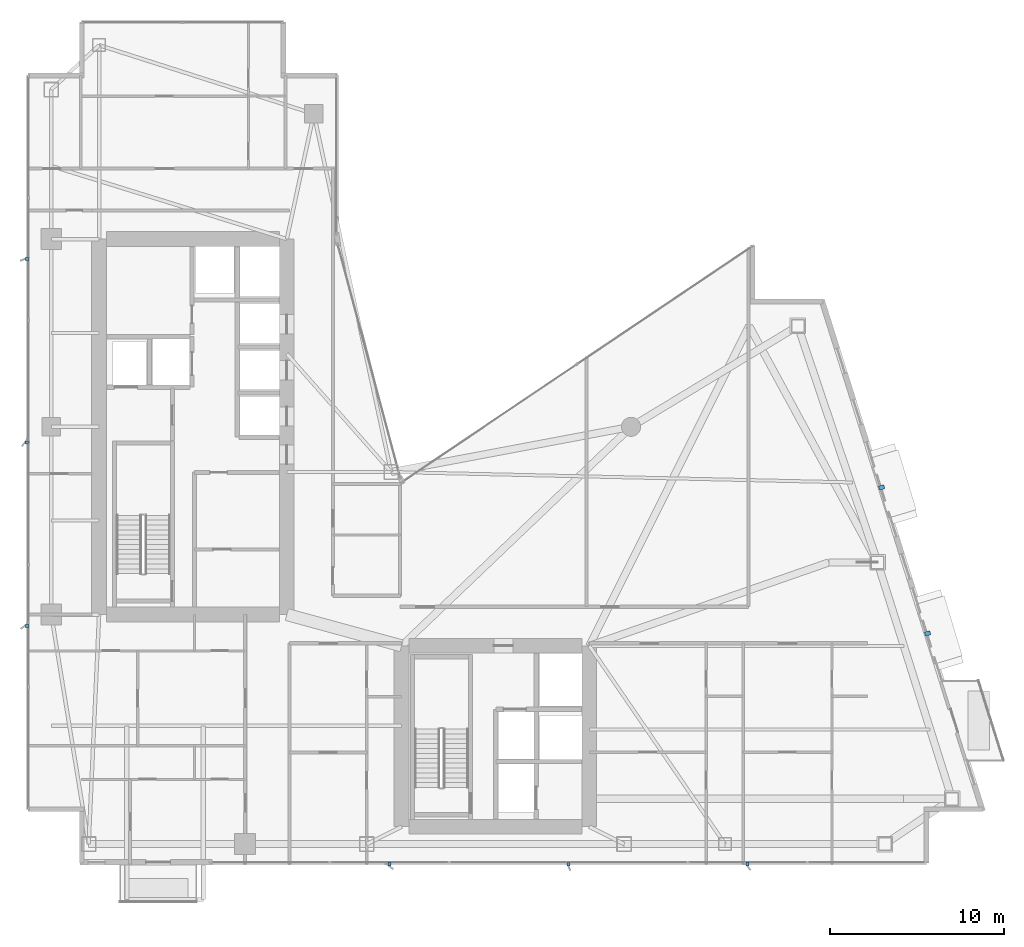
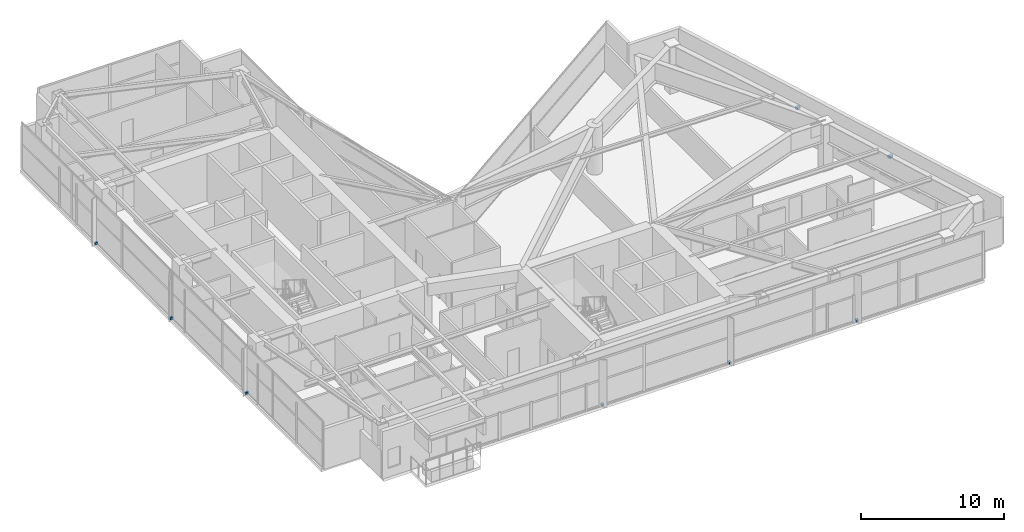
# One storey, part 28 of 30: 8 discrete accessories.
"""IFC4 building model written with IfcOpenShell, lengths in metres."""

from ifc_helpers import new_model, si_unit, direction, frame, origin, origin_2d, place, context, subcontext, project, spatial, rectangle, extrude, material, type_object, element, save


model = new_model("IFC4")

# Units and contexts
model_context = context("Model", 3, precision=1e-05, world=origin(), true_north=direction((0.0, 1.0)))
body_context = subcontext(model_context, "Body", "Model", "MODEL_VIEW")
ifc_project = project(units=[si_unit("LENGTHUNIT", "METRE"), si_unit("AREAUNIT", "SQUARE_METRE"), si_unit("VOLUMEUNIT", "CUBIC_METRE"), si_unit("PLANEANGLEUNIT", "RADIAN"), si_unit("MASSUNIT", "GRAM", prefix="KILO")], contexts=[model_context])

# Site, building, storey
site_placement = place(None, origin())
site = spatial("IfcSite", under=ifc_project, at=site_placement, CompositionType="ELEMENT")
building_placement = place(site_placement, origin())
building = spatial("IfcBuilding", under=site, at=building_placement, Name="Calvorn Quay Hotel", CompositionType="ELEMENT")
storey_placement = place(building_placement, frame((0.0, 0.0, 195.10009765625)))
storey = spatial("IfcBuildingStorey", under=building, at=storey_placement, Name="L48", CompositionType="ELEMENT", Elevation=195.10009765625)

# Discrete accessories
ifc_material = material(Name="Steel Q355B", Category="steel")
discrete_accessory_type = type_object("IfcDiscreteAccessoryType", Name="ACC-FIN-BRACKET", PredefinedType="BRACKET", material=ifc_material)
for number, where, z_axis, x_axis, name in (
    (1, (0.06005859375, 16.14990234375, 0.02978515625), (0.0, 0.0, 1.0), (1.0, 0.0, 0.0), "Fin Anchor Bracket L48-W01"),
    (2, (0.06005859375, 26.699951171875, 0.02978515625), (0.0, 0.0, 1.0), (1.0, 0.0, 0.0), "Fin Anchor Bracket L48-W02"),
    (3, (0.06005859375, 37.25, 0.02978515625), (0.0, 0.0, 1.0), (1.0, 0.0, 0.0), "Fin Anchor Bracket L48-W03"),
    (4, (20.89990234375, 2.4599609375, 0.02978515625), (0.0, 0.0, 1.0), (0.0, 1.0, 0.0), "Fin Anchor Bracket L48-S01"),
    (5, (31.199951171875, 2.4599609375, 0.02978515625), (0.0, 0.0, 1.0), (0.0, 1.0, 0.0), "Fin Anchor Bracket L48-S02"),
    (6, (41.5, 2.4599609375, 0.02978515625), (0.0, 0.0, 1.0), (0.0, 1.0, 0.0), "Fin Anchor Bracket L48-S03"),
):
    element("IfcDiscreteAccessory", number, at=place(storey_placement, frame(where, z_axis=z_axis, x_axis=x_axis)), inside=storey, type_object=discrete_accessory_type, Name=name, PredefinedType="BRACKET", context=body_context, shape_type="SweptSolid", body=[
        extrude(rectangle(XDim=0.239990234375, YDim=0.159912109375, at=origin_2d()), origin(), (0.0, 0.0, 1.0), 0.179931640625),
    ])
for number, where, z_axis, x_axis, name in (
    (7, (51.85595703125, 15.7119140625, 2.3701171875), (0.0, 0.0, 1.0), (0.957319497532, 0.289031796944, 0.0), "Bay Hood Support Bracket L48-HOOD-2"),
    (8, (49.2099609375, 24.112060546875, 2.3701171875), (0.0, 0.0, 1.0), (0.957319497532, 0.289031796944, 0.0), "Bay Hood Support Bracket L48-HOOD-3"),
):
    element("IfcDiscreteAccessory", number, at=place(storey_placement, frame(where, z_axis=z_axis, x_axis=x_axis)), inside=storey, type_object=discrete_accessory_type, Name=name, PredefinedType="BRACKET", context=body_context, shape_type="SweptSolid", body=[
        extrude(rectangle(XDim=0.320068359375, YDim=0.239990234375, at=origin_2d()), origin(), (0.0, 0.0, 1.0), 0.199951171875),
    ])

save(model, "model.ifc")
